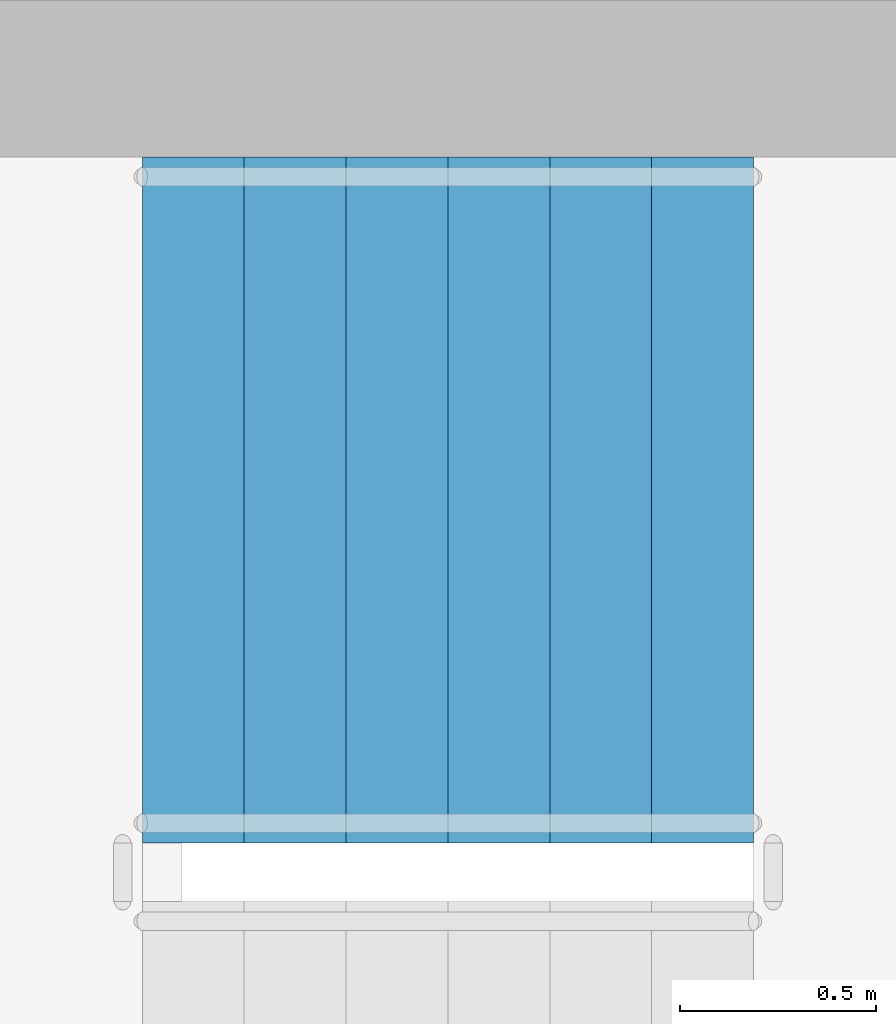
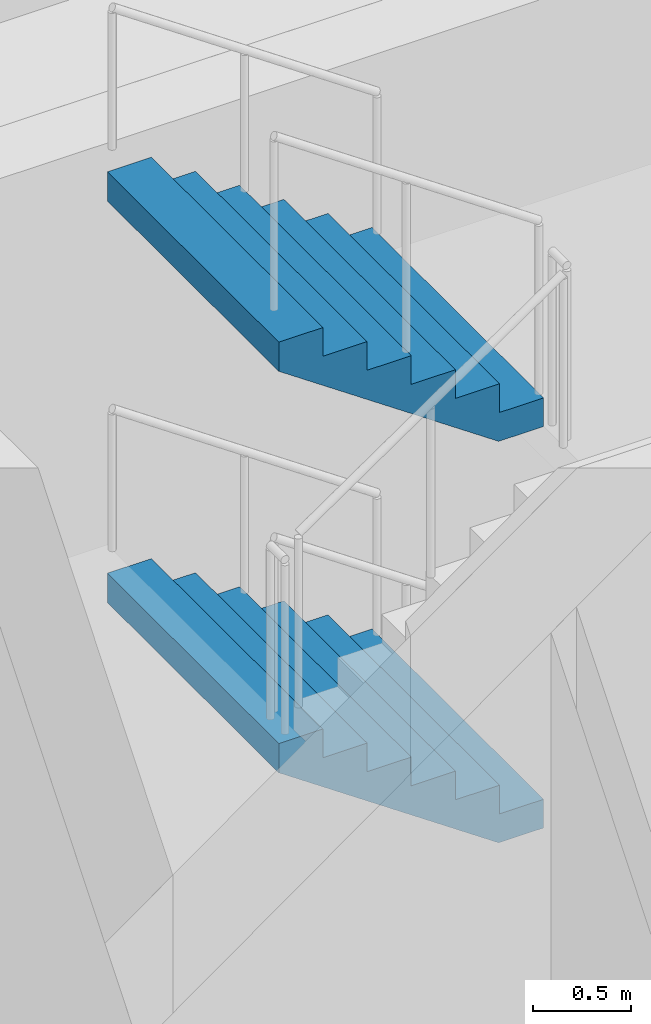
# One storey, part 21 of 34: 2 stair flights, 1 element without a shape of its own.
"""IFC4 building model written with IfcOpenShell, lengths in metres."""

from ifc_helpers import new_model, si_unit, direction, frame, origin, place, context, subcontext, project, spatial, faceted_brep, material, type_object, element, aggregate, save


model = new_model("IFC4")

# Units and contexts
model_context = context("Model", 3, precision=1e-05, world=origin(), true_north=direction((0.0, 1.0)))
body_context = subcontext(model_context, "Body", "Model", "MODEL_VIEW")
ifc_project = project(units=[si_unit("LENGTHUNIT", "METRE"), si_unit("AREAUNIT", "SQUARE_METRE"), si_unit("VOLUMEUNIT", "CUBIC_METRE"), si_unit("PLANEANGLEUNIT", "RADIAN"), si_unit("MASSUNIT", "GRAM", prefix="KILO")], contexts=[model_context])

# Site, building, storey
site_placement = place(None, origin())
site = spatial("IfcSite", under=ifc_project, at=site_placement, CompositionType="ELEMENT")
building_placement = place(site_placement, origin())
building = spatial("IfcBuilding", under=site, at=building_placement, Name="Ipe Terrace Towers", CompositionType="ELEMENT")
storey_placement = place(building_placement, frame((0.0, 0.0, 128.699951171875)))
storey = spatial("IfcBuildingStorey", under=building, at=storey_placement, Name="L35", CompositionType="ELEMENT", Elevation=128.699951171875)

# Stair, stair flights
ifc_material_1 = material(Name="Concrete C30/37", Category="concrete")
stair_type = type_object("IfcStairType", Name="Protected exit stair", PredefinedType="HALF_TURN_STAIR", material=ifc_material_1)
stair_placement = place(storey_placement, origin())
stair = element("IfcStair", 1, at=stair_placement, inside=storey, type_object=stair_type, Name="L35 Exit stair T1-C1", PredefinedType="HALF_TURN_STAIR")
ifc_material_2 = material(Name="Concrete C30/37", Category="concrete")
stair_flight_type = type_object("IfcStairFlightType", Name="Exit stair flight 1750", PredefinedType="STRAIGHT", material=ifc_material_2)
stair_flight_1_placement = place(storey_placement, frame((-24.739990234375, 4.675048828125, 1.25), z_axis=(0.0, 0.0, 1.0), x_axis=(-1.0, 0.0, 0.0)))
stair_flight_1 = element("IfcStairFlight", 2, at=stair_flight_1_placement, type_object=stair_flight_type, Name="T1-ST1 flight 2", NumberOfRisers=7, NumberOfTreads=6, PredefinedType="STRAIGHT", RiserHeight=0.178571429, TreadLength=0.26, context=body_context, shape_type="Brep", body=[
    faceted_brep([(0.264892578125, -0.875, 0.0), (1.56005859375, -0.875, 0.8896484375), (1.56005859375, -0.875, 1.071533203125), (1.300048828125, -0.875, 1.071533203125), (1.300048828125, -0.875, 0.892822265625), (1.0400390625, -0.875, 0.892822265625), (1.0400390625, -0.875, 0.71435546875), (0.780029296875, -0.875, 0.71435546875), (0.780029296875, -0.875, 0.53564453125), (0.52001953125, -0.875, 0.53564453125), (0.52001953125, -0.875, 0.357177734375), (0.260009765625, -0.875, 0.357177734375), (0.260009765625, -0.875, 0.178466796875), (0.0, -0.875, 0.178466796875), (0.0, -0.875, 0.0), (0.0, 0.875, 0.0), (0.0, 0.875, 0.178466796875), (0.260009765625, 0.875, 0.178466796875), (0.260009765625, 0.875, 0.357177734375), (0.52001953125, 0.875, 0.357177734375), (0.52001953125, 0.875, 0.53564453125), (0.780029296875, 0.875, 0.53564453125), (0.780029296875, 0.875, 0.71435546875), (1.0400390625, 0.875, 0.71435546875), (1.0400390625, 0.875, 0.892822265625), (1.300048828125, 0.875, 0.892822265625), (1.300048828125, 0.875, 1.071533203125), (1.56005859375, 0.875, 1.071533203125), (1.56005859375, 0.875, 0.8896484375), (0.264892578125, 0.875, 0.0), (0.0, -0.300048828125, 0.178466796875), (0.0, -0.1201171875, 0.178466796875), (0.0, -0.06005859375, 0.178466796875), (0.0, -0.030029296875, 0.178466796875), (0.0, -0.010009765625, 0.178466796875), (0.0, 0.0, 0.178466796875), (0.0, 0.010009765625, 0.178466796875), (0.0, 0.030029296875, 0.178466796875), (0.0, 0.06005859375, 0.178466796875), (0.0, 0.1201171875, 0.178466796875), (0.0, 0.300048828125, 0.178466796875), (0.0, 0.300048828125, 0.0), (0.0, 0.1201171875, 0.0), (0.0, 0.06005859375, 0.0), (0.0, 0.030029296875, 0.0), (0.0, 0.010009765625, 0.0), (0.0, 0.0, 0.0), (0.0, -0.010009765625, 0.0), (0.0, -0.030029296875, 0.0), (0.0, -0.06005859375, 0.0), (0.0, -0.1201171875, 0.0), (0.0, -0.300048828125, 0.0), (0.260009765625, -0.300048828125, 0.178466796875), (0.260009765625, -0.1201171875, 0.178466796875), (0.260009765625, -0.06005859375, 0.178466796875), (0.260009765625, -0.030029296875, 0.178466796875), (0.260009765625, -0.010009765625, 0.178466796875), (0.260009765625, 0.0, 0.178466796875), (0.260009765625, 0.010009765625, 0.178466796875), (0.260009765625, 0.030029296875, 0.178466796875), (0.260009765625, 0.06005859375, 0.178466796875), (0.260009765625, 0.1201171875, 0.178466796875), (0.260009765625, 0.300048828125, 0.178466796875), (0.260009765625, -0.300048828125, 0.357177734375), (0.260009765625, -0.1201171875, 0.357177734375), (0.260009765625, -0.06005859375, 0.357177734375), (0.260009765625, -0.030029296875, 0.357177734375), (0.260009765625, -0.010009765625, 0.357177734375), (0.260009765625, 0.0, 0.357177734375), (0.260009765625, 0.010009765625, 0.357177734375), (0.260009765625, 0.030029296875, 0.357177734375), (0.260009765625, 0.06005859375, 0.357177734375), (0.260009765625, 0.1201171875, 0.357177734375), (0.260009765625, 0.300048828125, 0.357177734375), (0.52001953125, -0.300048828125, 0.357177734375), (0.52001953125, -0.1201171875, 0.357177734375), (0.52001953125, -0.06005859375, 0.357177734375), (0.52001953125, -0.030029296875, 0.357177734375), (0.52001953125, -0.010009765625, 0.357177734375), (0.52001953125, 0.0, 0.357177734375), (0.52001953125, 0.010009765625, 0.357177734375), (0.52001953125, 0.030029296875, 0.357177734375), (0.52001953125, 0.06005859375, 0.357177734375), (0.52001953125, 0.1201171875, 0.357177734375), (0.52001953125, 0.300048828125, 0.357177734375), (0.52001953125, -0.300048828125, 0.53564453125), (0.52001953125, -0.1201171875, 0.53564453125), (0.52001953125, -0.06005859375, 0.53564453125), (0.52001953125, -0.030029296875, 0.53564453125), (0.52001953125, -0.010009765625, 0.53564453125), (0.52001953125, 0.0, 0.53564453125), (0.52001953125, 0.010009765625, 0.53564453125), (0.52001953125, 0.030029296875, 0.53564453125), (0.52001953125, 0.06005859375, 0.53564453125), (0.52001953125, 0.1201171875, 0.53564453125), (0.52001953125, 0.300048828125, 0.53564453125), (0.780029296875, -0.300048828125, 0.53564453125), (0.780029296875, -0.1201171875, 0.53564453125), (0.780029296875, -0.06005859375, 0.53564453125), (0.780029296875, -0.030029296875, 0.53564453125), (0.780029296875, -0.010009765625, 0.53564453125), (0.780029296875, 0.0, 0.53564453125), (0.780029296875, 0.010009765625, 0.53564453125), (0.780029296875, 0.030029296875, 0.53564453125), (0.780029296875, 0.06005859375, 0.53564453125), (0.780029296875, 0.1201171875, 0.53564453125), (0.780029296875, 0.300048828125, 0.53564453125), (0.780029296875, -0.300048828125, 0.71435546875), (0.780029296875, -0.1201171875, 0.71435546875), (0.780029296875, -0.06005859375, 0.71435546875), (0.780029296875, -0.030029296875, 0.71435546875), (0.780029296875, -0.010009765625, 0.71435546875), (0.780029296875, 0.0, 0.71435546875), (0.780029296875, 0.010009765625, 0.71435546875), (0.780029296875, 0.030029296875, 0.71435546875), (0.780029296875, 0.06005859375, 0.71435546875), (0.780029296875, 0.1201171875, 0.71435546875), (0.780029296875, 0.300048828125, 0.71435546875), (1.0400390625, -0.300048828125, 0.71435546875), (1.0400390625, -0.1201171875, 0.71435546875), (1.0400390625, -0.06005859375, 0.71435546875), (1.0400390625, -0.030029296875, 0.71435546875), (1.0400390625, -0.010009765625, 0.71435546875), (1.0400390625, 0.0, 0.71435546875), (1.0400390625, 0.010009765625, 0.71435546875), (1.0400390625, 0.030029296875, 0.71435546875), (1.0400390625, 0.06005859375, 0.71435546875), (1.0400390625, 0.1201171875, 0.71435546875), (1.0400390625, 0.300048828125, 0.71435546875), (1.0400390625, -0.300048828125, 0.892822265625), (1.0400390625, -0.1201171875, 0.892822265625), (1.0400390625, -0.06005859375, 0.892822265625), (1.0400390625, -0.030029296875, 0.892822265625), (1.0400390625, -0.010009765625, 0.892822265625), (1.0400390625, 0.0, 0.892822265625), (1.0400390625, 0.010009765625, 0.892822265625), (1.0400390625, 0.030029296875, 0.892822265625), (1.0400390625, 0.06005859375, 0.892822265625), (1.0400390625, 0.1201171875, 0.892822265625), (1.0400390625, 0.300048828125, 0.892822265625), (1.300048828125, -0.300048828125, 0.892822265625), (1.300048828125, -0.1201171875, 0.892822265625), (1.300048828125, -0.06005859375, 0.892822265625), (1.300048828125, -0.030029296875, 0.892822265625), (1.300048828125, -0.010009765625, 0.892822265625), (1.300048828125, 0.0, 0.892822265625), (1.300048828125, 0.010009765625, 0.892822265625), (1.300048828125, 0.030029296875, 0.892822265625), (1.300048828125, 0.06005859375, 0.892822265625), (1.300048828125, 0.1201171875, 0.892822265625), (1.300048828125, 0.300048828125, 0.892822265625), (1.300048828125, -0.300048828125, 1.071533203125), (1.300048828125, -0.1201171875, 1.071533203125), (1.300048828125, -0.06005859375, 1.071533203125), (1.300048828125, -0.030029296875, 1.071533203125), (1.300048828125, -0.010009765625, 1.071533203125), (1.300048828125, 0.0, 1.071533203125), (1.300048828125, 0.010009765625, 1.071533203125), (1.300048828125, 0.030029296875, 1.071533203125), (1.300048828125, 0.06005859375, 1.071533203125), (1.300048828125, 0.1201171875, 1.071533203125), (1.300048828125, 0.300048828125, 1.071533203125), (1.56005859375, -0.300048828125, 1.071533203125), (1.56005859375, -0.1201171875, 1.071533203125), (1.56005859375, -0.06005859375, 1.071533203125), (1.56005859375, -0.030029296875, 1.071533203125), (1.56005859375, -0.010009765625, 1.071533203125), (1.56005859375, 0.0, 1.071533203125), (1.56005859375, 0.010009765625, 1.071533203125), (1.56005859375, 0.030029296875, 1.071533203125), (1.56005859375, 0.06005859375, 1.071533203125), (1.56005859375, 0.1201171875, 1.071533203125), (1.56005859375, 0.300048828125, 1.071533203125), (1.56005859375, -0.300048828125, 0.8896484375), (1.56005859375, -0.1201171875, 0.8896484375), (1.56005859375, -0.06005859375, 0.8896484375), (1.56005859375, -0.030029296875, 0.8896484375), (1.56005859375, -0.010009765625, 0.8896484375), (1.56005859375, 0.0, 0.8896484375), (1.56005859375, 0.010009765625, 0.8896484375), (1.56005859375, 0.030029296875, 0.8896484375), (1.56005859375, 0.06005859375, 0.8896484375), (1.56005859375, 0.1201171875, 0.8896484375), (1.56005859375, 0.300048828125, 0.8896484375), (0.264892578125, -0.300048828125, 0.0), (0.264892578125, -0.1201171875, 0.0), (0.264892578125, -0.06005859375, 0.0), (0.264892578125, -0.030029296875, 0.0), (0.264892578125, -0.010009765625, 0.0), (0.264892578125, 0.0, 0.0), (0.264892578125, 0.010009765625, 0.0), (0.264892578125, 0.030029296875, 0.0), (0.264892578125, 0.06005859375, 0.0), (0.264892578125, 0.1201171875, 0.0), (0.264892578125, 0.300048828125, 0.0)], [[[0, 1, 2, 3, 4, 5, 6, 7, 8, 9, 10, 11, 12, 13, 14]], [[15, 16, 17, 18, 19, 20, 21, 22, 23, 24, 25, 26, 27, 28, 29]], [[13, 30, 31, 32, 33, 34, 35, 36, 37, 38, 39, 40, 16, 15, 41, 42, 43, 44, 45, 46, 47, 48, 49, 50, 51, 14]], [[12, 52, 53, 54, 55, 56, 57, 58, 59, 60, 61, 62, 17, 16, 40, 39, 38, 37, 36, 35, 34, 33, 32, 31, 30, 13]], [[11, 63, 64, 65, 66, 67, 68, 69, 70, 71, 72, 73, 18, 17, 62, 61, 60, 59, 58, 57, 56, 55, 54, 53, 52, 12]], [[10, 74, 75, 76, 77, 78, 79, 80, 81, 82, 83, 84, 19, 18, 73, 72, 71, 70, 69, 68, 67, 66, 65, 64, 63, 11]], [[9, 85, 86, 87, 88, 89, 90, 91, 92, 93, 94, 95, 20, 19, 84, 83, 82, 81, 80, 79, 78, 77, 76, 75, 74, 10]], [[8, 96, 97, 98, 99, 100, 101, 102, 103, 104, 105, 106, 21, 20, 95, 94, 93, 92, 91, 90, 89, 88, 87, 86, 85, 9]], [[7, 107, 108, 109, 110, 111, 112, 113, 114, 115, 116, 117, 22, 21, 106, 105, 104, 103, 102, 101, 100, 99, 98, 97, 96, 8]], [[6, 118, 119, 120, 121, 122, 123, 124, 125, 126, 127, 128, 23, 22, 117, 116, 115, 114, 113, 112, 111, 110, 109, 108, 107, 7]], [[5, 129, 130, 131, 132, 133, 134, 135, 136, 137, 138, 139, 24, 23, 128, 127, 126, 125, 124, 123, 122, 121, 120, 119, 118, 6]], [[4, 140, 141, 142, 143, 144, 145, 146, 147, 148, 149, 150, 25, 24, 139, 138, 137, 136, 135, 134, 133, 132, 131, 130, 129, 5]], [[3, 151, 152, 153, 154, 155, 156, 157, 158, 159, 160, 161, 26, 25, 150, 149, 148, 147, 146, 145, 144, 143, 142, 141, 140, 4]], [[2, 162, 163, 164, 165, 166, 167, 168, 169, 170, 171, 172, 27, 26, 161, 160, 159, 158, 157, 156, 155, 154, 153, 152, 151, 3]], [[1, 173, 174, 175, 176, 177, 178, 179, 180, 181, 182, 183, 28, 27, 172, 171, 170, 169, 168, 167, 166, 165, 164, 163, 162, 2]], [[0, 184, 185, 186, 187, 188, 189, 190, 191, 192, 193, 194, 29, 28, 183, 182, 181, 180, 179, 178, 177, 176, 175, 174, 173, 1]], [[14, 51, 50, 49, 48, 47, 46, 45, 44, 43, 42, 41, 15, 29, 194, 193, 192, 191, 190, 189, 188, 187, 186, 185, 184, 0]]]),
])
stair_flight_2_placement = place(storey_placement, frame((-24.739990234375, 4.675048828125, 3.75), z_axis=(0.0, 0.0, 1.0), x_axis=(-1.0, 0.0, 0.0)))
stair_flight_2 = element("IfcStairFlight", 3, at=stair_flight_2_placement, type_object=stair_flight_type, Name="T1-ST1 flight 4", NumberOfRisers=7, NumberOfTreads=6, PredefinedType="STRAIGHT", RiserHeight=0.178571429, TreadLength=0.26, context=body_context, shape_type="Brep", body=[
    faceted_brep([(0.264892578125, -0.875, 0.0), (1.56005859375, -0.875, 0.8896484375), (1.56005859375, -0.875, 1.071533203125), (1.300048828125, -0.875, 1.071533203125), (1.300048828125, -0.875, 0.892822265625), (1.0400390625, -0.875, 0.892822265625), (1.0400390625, -0.875, 0.71435546875), (0.780029296875, -0.875, 0.71435546875), (0.780029296875, -0.875, 0.53564453125), (0.52001953125, -0.875, 0.53564453125), (0.52001953125, -0.875, 0.357177734375), (0.260009765625, -0.875, 0.357177734375), (0.260009765625, -0.875, 0.178466796875), (0.0, -0.875, 0.178466796875), (0.0, -0.875, 0.0), (0.0, 0.875, 0.0), (0.0, 0.875, 0.178466796875), (0.260009765625, 0.875, 0.178466796875), (0.260009765625, 0.875, 0.357177734375), (0.52001953125, 0.875, 0.357177734375), (0.52001953125, 0.875, 0.53564453125), (0.780029296875, 0.875, 0.53564453125), (0.780029296875, 0.875, 0.71435546875), (1.0400390625, 0.875, 0.71435546875), (1.0400390625, 0.875, 0.892822265625), (1.300048828125, 0.875, 0.892822265625), (1.300048828125, 0.875, 1.071533203125), (1.56005859375, 0.875, 1.071533203125), (1.56005859375, 0.875, 0.8896484375), (0.264892578125, 0.875, 0.0), (0.0, -0.300048828125, 0.178466796875), (0.0, -0.1201171875, 0.178466796875), (0.0, -0.06005859375, 0.178466796875), (0.0, -0.030029296875, 0.178466796875), (0.0, -0.010009765625, 0.178466796875), (0.0, 0.0, 0.178466796875), (0.0, 0.010009765625, 0.178466796875), (0.0, 0.030029296875, 0.178466796875), (0.0, 0.06005859375, 0.178466796875), (0.0, 0.1201171875, 0.178466796875), (0.0, 0.300048828125, 0.178466796875), (0.0, 0.300048828125, 0.0), (0.0, 0.1201171875, 0.0), (0.0, 0.06005859375, 0.0), (0.0, 0.030029296875, 0.0), (0.0, 0.010009765625, 0.0), (0.0, 0.0, 0.0), (0.0, -0.010009765625, 0.0), (0.0, -0.030029296875, 0.0), (0.0, -0.06005859375, 0.0), (0.0, -0.1201171875, 0.0), (0.0, -0.300048828125, 0.0), (0.260009765625, -0.300048828125, 0.178466796875), (0.260009765625, -0.1201171875, 0.178466796875), (0.260009765625, -0.06005859375, 0.178466796875), (0.260009765625, -0.030029296875, 0.178466796875), (0.260009765625, -0.010009765625, 0.178466796875), (0.260009765625, 0.0, 0.178466796875), (0.260009765625, 0.010009765625, 0.178466796875), (0.260009765625, 0.030029296875, 0.178466796875), (0.260009765625, 0.06005859375, 0.178466796875), (0.260009765625, 0.1201171875, 0.178466796875), (0.260009765625, 0.300048828125, 0.178466796875), (0.260009765625, -0.300048828125, 0.357177734375), (0.260009765625, -0.1201171875, 0.357177734375), (0.260009765625, -0.06005859375, 0.357177734375), (0.260009765625, -0.030029296875, 0.357177734375), (0.260009765625, -0.010009765625, 0.357177734375), (0.260009765625, 0.0, 0.357177734375), (0.260009765625, 0.010009765625, 0.357177734375), (0.260009765625, 0.030029296875, 0.357177734375), (0.260009765625, 0.06005859375, 0.357177734375), (0.260009765625, 0.1201171875, 0.357177734375), (0.260009765625, 0.300048828125, 0.357177734375), (0.52001953125, -0.300048828125, 0.357177734375), (0.52001953125, -0.1201171875, 0.357177734375), (0.52001953125, -0.06005859375, 0.357177734375), (0.52001953125, -0.030029296875, 0.357177734375), (0.52001953125, -0.010009765625, 0.357177734375), (0.52001953125, 0.0, 0.357177734375), (0.52001953125, 0.010009765625, 0.357177734375), (0.52001953125, 0.030029296875, 0.357177734375), (0.52001953125, 0.06005859375, 0.357177734375), (0.52001953125, 0.1201171875, 0.357177734375), (0.52001953125, 0.300048828125, 0.357177734375), (0.52001953125, -0.300048828125, 0.53564453125), (0.52001953125, -0.1201171875, 0.53564453125), (0.52001953125, -0.06005859375, 0.53564453125), (0.52001953125, -0.030029296875, 0.53564453125), (0.52001953125, -0.010009765625, 0.53564453125), (0.52001953125, 0.0, 0.53564453125), (0.52001953125, 0.010009765625, 0.53564453125), (0.52001953125, 0.030029296875, 0.53564453125), (0.52001953125, 0.06005859375, 0.53564453125), (0.52001953125, 0.1201171875, 0.53564453125), (0.52001953125, 0.300048828125, 0.53564453125), (0.780029296875, -0.300048828125, 0.53564453125), (0.780029296875, -0.1201171875, 0.53564453125), (0.780029296875, -0.06005859375, 0.53564453125), (0.780029296875, -0.030029296875, 0.53564453125), (0.780029296875, -0.010009765625, 0.53564453125), (0.780029296875, 0.0, 0.53564453125), (0.780029296875, 0.010009765625, 0.53564453125), (0.780029296875, 0.030029296875, 0.53564453125), (0.780029296875, 0.06005859375, 0.53564453125), (0.780029296875, 0.1201171875, 0.53564453125), (0.780029296875, 0.300048828125, 0.53564453125), (0.780029296875, -0.300048828125, 0.71435546875), (0.780029296875, -0.1201171875, 0.71435546875), (0.780029296875, -0.06005859375, 0.71435546875), (0.780029296875, -0.030029296875, 0.71435546875), (0.780029296875, -0.010009765625, 0.71435546875), (0.780029296875, 0.0, 0.71435546875), (0.780029296875, 0.010009765625, 0.71435546875), (0.780029296875, 0.030029296875, 0.71435546875), (0.780029296875, 0.06005859375, 0.71435546875), (0.780029296875, 0.1201171875, 0.71435546875), (0.780029296875, 0.300048828125, 0.71435546875), (1.0400390625, -0.300048828125, 0.71435546875), (1.0400390625, -0.1201171875, 0.71435546875), (1.0400390625, -0.06005859375, 0.71435546875), (1.0400390625, -0.030029296875, 0.71435546875), (1.0400390625, -0.010009765625, 0.71435546875), (1.0400390625, 0.0, 0.71435546875), (1.0400390625, 0.010009765625, 0.71435546875), (1.0400390625, 0.030029296875, 0.71435546875), (1.0400390625, 0.06005859375, 0.71435546875), (1.0400390625, 0.1201171875, 0.71435546875), (1.0400390625, 0.300048828125, 0.71435546875), (1.0400390625, -0.300048828125, 0.892822265625), (1.0400390625, -0.1201171875, 0.892822265625), (1.0400390625, -0.06005859375, 0.892822265625), (1.0400390625, -0.030029296875, 0.892822265625), (1.0400390625, -0.010009765625, 0.892822265625), (1.0400390625, 0.0, 0.892822265625), (1.0400390625, 0.010009765625, 0.892822265625), (1.0400390625, 0.030029296875, 0.892822265625), (1.0400390625, 0.06005859375, 0.892822265625), (1.0400390625, 0.1201171875, 0.892822265625), (1.0400390625, 0.300048828125, 0.892822265625), (1.300048828125, -0.300048828125, 0.892822265625), (1.300048828125, -0.1201171875, 0.892822265625), (1.300048828125, -0.06005859375, 0.892822265625), (1.300048828125, -0.030029296875, 0.892822265625), (1.300048828125, -0.010009765625, 0.892822265625), (1.300048828125, 0.0, 0.892822265625), (1.300048828125, 0.010009765625, 0.892822265625), (1.300048828125, 0.030029296875, 0.892822265625), (1.300048828125, 0.06005859375, 0.892822265625), (1.300048828125, 0.1201171875, 0.892822265625), (1.300048828125, 0.300048828125, 0.892822265625), (1.300048828125, -0.300048828125, 1.071533203125), (1.300048828125, -0.1201171875, 1.071533203125), (1.300048828125, -0.06005859375, 1.071533203125), (1.300048828125, -0.030029296875, 1.071533203125), (1.300048828125, -0.010009765625, 1.071533203125), (1.300048828125, 0.0, 1.071533203125), (1.300048828125, 0.010009765625, 1.071533203125), (1.300048828125, 0.030029296875, 1.071533203125), (1.300048828125, 0.06005859375, 1.071533203125), (1.300048828125, 0.1201171875, 1.071533203125), (1.300048828125, 0.300048828125, 1.071533203125), (1.56005859375, -0.300048828125, 1.071533203125), (1.56005859375, -0.1201171875, 1.071533203125), (1.56005859375, -0.06005859375, 1.071533203125), (1.56005859375, -0.030029296875, 1.071533203125), (1.56005859375, -0.010009765625, 1.071533203125), (1.56005859375, 0.0, 1.071533203125), (1.56005859375, 0.010009765625, 1.071533203125), (1.56005859375, 0.030029296875, 1.071533203125), (1.56005859375, 0.06005859375, 1.071533203125), (1.56005859375, 0.1201171875, 1.071533203125), (1.56005859375, 0.300048828125, 1.071533203125), (1.56005859375, -0.300048828125, 0.8896484375), (1.56005859375, -0.1201171875, 0.8896484375), (1.56005859375, -0.06005859375, 0.8896484375), (1.56005859375, -0.030029296875, 0.8896484375), (1.56005859375, -0.010009765625, 0.8896484375), (1.56005859375, 0.0, 0.8896484375), (1.56005859375, 0.010009765625, 0.8896484375), (1.56005859375, 0.030029296875, 0.8896484375), (1.56005859375, 0.06005859375, 0.8896484375), (1.56005859375, 0.1201171875, 0.8896484375), (1.56005859375, 0.300048828125, 0.8896484375), (0.264892578125, -0.300048828125, 0.0), (0.264892578125, -0.1201171875, 0.0), (0.264892578125, -0.06005859375, 0.0), (0.264892578125, -0.030029296875, 0.0), (0.264892578125, -0.010009765625, 0.0), (0.264892578125, 0.0, 0.0), (0.264892578125, 0.010009765625, 0.0), (0.264892578125, 0.030029296875, 0.0), (0.264892578125, 0.06005859375, 0.0), (0.264892578125, 0.1201171875, 0.0), (0.264892578125, 0.300048828125, 0.0)], [[[0, 1, 2, 3, 4, 5, 6, 7, 8, 9, 10, 11, 12, 13, 14]], [[15, 16, 17, 18, 19, 20, 21, 22, 23, 24, 25, 26, 27, 28, 29]], [[13, 30, 31, 32, 33, 34, 35, 36, 37, 38, 39, 40, 16, 15, 41, 42, 43, 44, 45, 46, 47, 48, 49, 50, 51, 14]], [[12, 52, 53, 54, 55, 56, 57, 58, 59, 60, 61, 62, 17, 16, 40, 39, 38, 37, 36, 35, 34, 33, 32, 31, 30, 13]], [[11, 63, 64, 65, 66, 67, 68, 69, 70, 71, 72, 73, 18, 17, 62, 61, 60, 59, 58, 57, 56, 55, 54, 53, 52, 12]], [[10, 74, 75, 76, 77, 78, 79, 80, 81, 82, 83, 84, 19, 18, 73, 72, 71, 70, 69, 68, 67, 66, 65, 64, 63, 11]], [[9, 85, 86, 87, 88, 89, 90, 91, 92, 93, 94, 95, 20, 19, 84, 83, 82, 81, 80, 79, 78, 77, 76, 75, 74, 10]], [[8, 96, 97, 98, 99, 100, 101, 102, 103, 104, 105, 106, 21, 20, 95, 94, 93, 92, 91, 90, 89, 88, 87, 86, 85, 9]], [[7, 107, 108, 109, 110, 111, 112, 113, 114, 115, 116, 117, 22, 21, 106, 105, 104, 103, 102, 101, 100, 99, 98, 97, 96, 8]], [[6, 118, 119, 120, 121, 122, 123, 124, 125, 126, 127, 128, 23, 22, 117, 116, 115, 114, 113, 112, 111, 110, 109, 108, 107, 7]], [[5, 129, 130, 131, 132, 133, 134, 135, 136, 137, 138, 139, 24, 23, 128, 127, 126, 125, 124, 123, 122, 121, 120, 119, 118, 6]], [[4, 140, 141, 142, 143, 144, 145, 146, 147, 148, 149, 150, 25, 24, 139, 138, 137, 136, 135, 134, 133, 132, 131, 130, 129, 5]], [[3, 151, 152, 153, 154, 155, 156, 157, 158, 159, 160, 161, 26, 25, 150, 149, 148, 147, 146, 145, 144, 143, 142, 141, 140, 4]], [[2, 162, 163, 164, 165, 166, 167, 168, 169, 170, 171, 172, 27, 26, 161, 160, 159, 158, 157, 156, 155, 154, 153, 152, 151, 3]], [[1, 173, 174, 175, 176, 177, 178, 179, 180, 181, 182, 183, 28, 27, 172, 171, 170, 169, 168, 167, 166, 165, 164, 163, 162, 2]], [[0, 184, 185, 186, 187, 188, 189, 190, 191, 192, 193, 194, 29, 28, 183, 182, 181, 180, 179, 178, 177, 176, 175, 174, 173, 1]], [[14, 51, 50, 49, 48, 47, 46, 45, 44, 43, 42, 41, 15, 29, 194, 193, 192, 191, 190, 189, 188, 187, 186, 185, 184, 0]]]),
])
aggregate(stair, [stair_flight_1, stair_flight_2])

save(model, "model.ifc")
